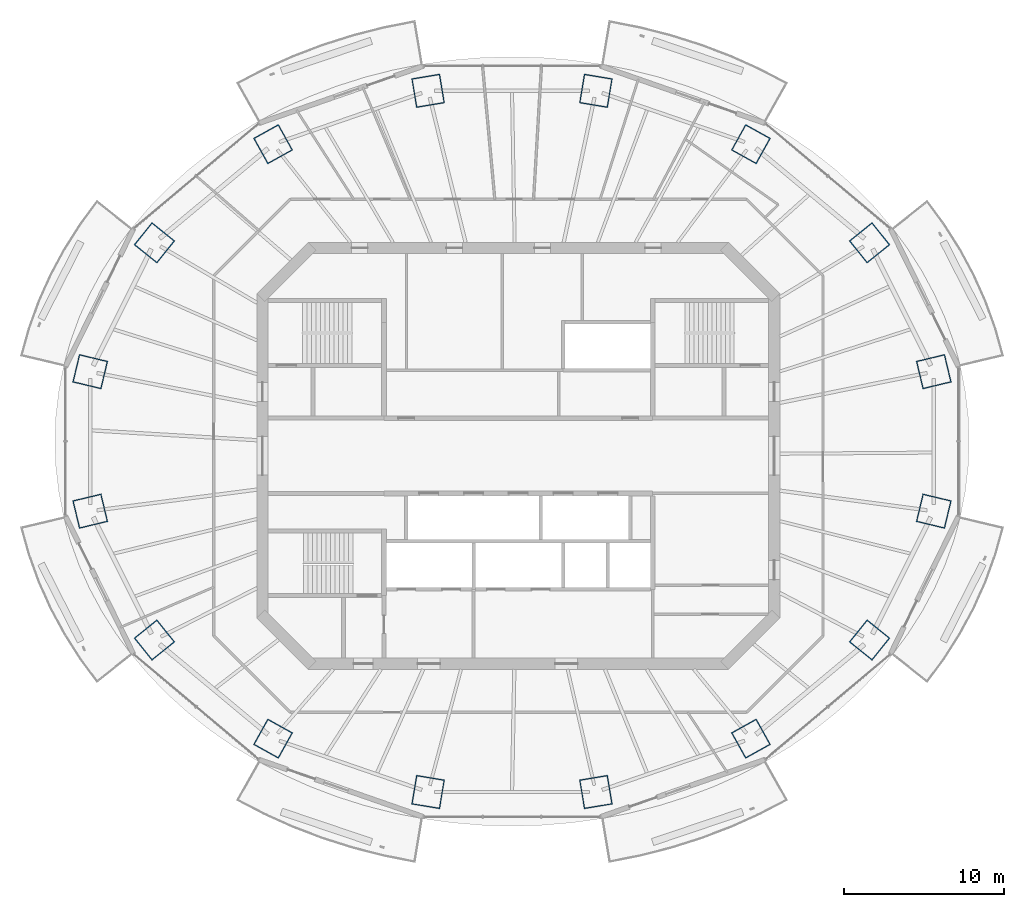
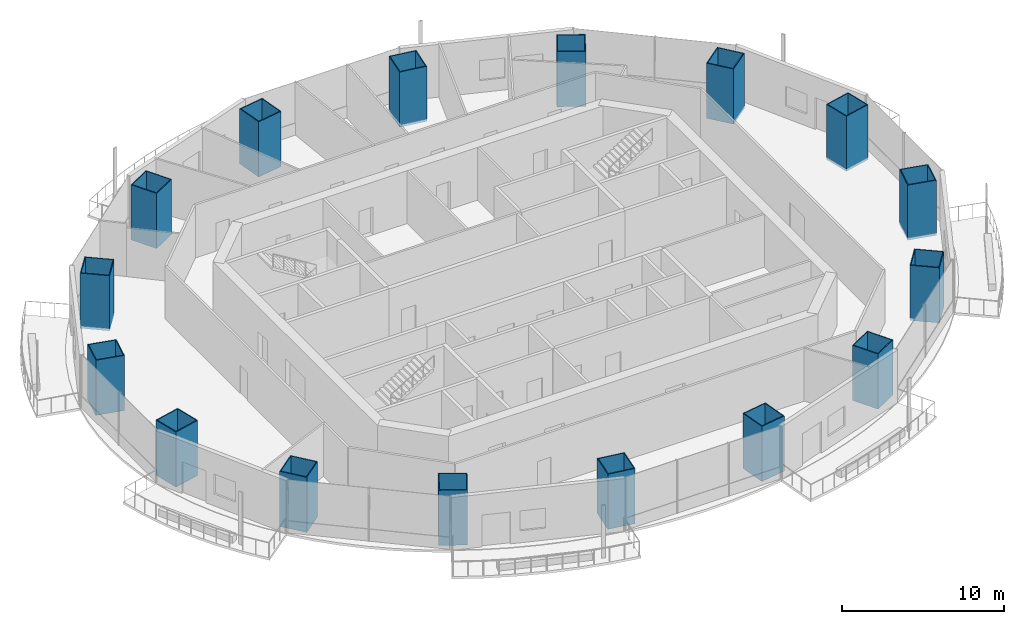
# One storey, part 1 of 16: 16 columns.
"""IFC4 building model written with IfcOpenShell, lengths in metres."""

from ifc_helpers import new_model, si_unit, direction, frame, origin, origin_2d, place, context, subcontext, project, spatial, rectangle, hollow_rectangle, extrude, material, material_profile, profile_set, type_object, element, save


model = new_model("IFC4")

# Units and contexts
model_context = context("Model", 3, precision=1e-05, world=origin(), true_north=direction((0.0, 1.0)))
body_context = subcontext(model_context, "Body", "Model", "MODEL_VIEW")
ifc_project = project(units=[si_unit("LENGTHUNIT", "METRE"), si_unit("AREAUNIT", "SQUARE_METRE"), si_unit("VOLUMEUNIT", "CUBIC_METRE"), si_unit("PLANEANGLEUNIT", "RADIAN"), si_unit("MASSUNIT", "GRAM", prefix="KILO")], contexts=[model_context])

# Site, building, storey
site_placement = place(None, origin())
site = spatial("IfcSite", under=ifc_project, at=site_placement, CompositionType="ELEMENT")
building_placement = place(site_placement, origin())
building = spatial("IfcBuilding", under=site, at=building_placement, Name="Marenthal Gate Tower", CompositionType="ELEMENT")
storey_placement = place(building_placement, frame((0.0, 0.0, 301.10009765625)))
storey = spatial("IfcBuildingStorey", under=building, at=storey_placement, Name="L67", CompositionType="ELEMENT", Elevation=301.10009765625)

# Columns
ifc_material_1 = material(Name="Steel S460", Category="steel")
ifc_material_profile_1 = material_profile(ifc_material_1, hollow_rectangle(XDim=1.800048828125, YDim=1.85009765625, WallThickness=0.06005859375, at=origin_2d()), Name="CFT BOX 1850X1800X60")
ifc_material_2 = material(Name="Concrete 70 MPa", Category="concrete")
ifc_material_profile_2 = material_profile(ifc_material_2, rectangle(XDim=1.679931640625, YDim=1.72998046875, at=origin_2d()), Name="CFT BOX 1850X1800X60 INFILL")
ifc_profile_set = profile_set([ifc_material_profile_1, ifc_material_profile_2], Name="Steel S460 shell, Concrete 70 MPa infill")
column_type = type_object("IfcColumnType", Name="CFT BOX 1850X1800X60", PredefinedType="COLUMN", material=ifc_profile_set)
for number, where, z_axis, x_axis, name in (
    (1, (25.979248046875, 5.26171875, -0.18017578125), (0.0, 0.0, 1.0), (0.232715542746, -0.972544845323, 0.0), "COL-L67-01"),
    (2, (21.963134765625, 13.3212890625, -0.18017578125), (0.0, 0.0, 1.0), (0.626499070203, -0.779422167401, 0.0), "COL-L67-02"),
    (3, (14.54248046875, 19.489990234375, -0.18017578125), (0.0, 0.0, 1.0), (0.874199687872, -0.485566582174, 0.0), "COL-L67-03"),
    (4, (4.84716796875, 22.828369140625, -0.18017578125), (0.0, 0.0, 1.0), (0.986603499759, -0.163136550975, 0.0), "COL-L67-04"),
    (5, (-5.647216796875, 22.828369140625, -0.18017578125), (0.0, 0.0, 1.0), (0.986603499759, 0.163136550975, 0.0), "COL-L67-05"),
    (6, (-15.342529296875, 19.489990234375, -0.18017578125), (0.0, 0.0, 1.0), (0.874199687872, 0.485566582174, 0.0), "COL-L67-06"),
    (7, (-22.76318359375, 13.3212890625, -0.18017578125), (0.0, 0.0, 1.0), (0.626499070203, 0.779422167401, 0.0), "COL-L67-07"),
    (8, (-26.779296875, 5.26171875, -0.18017578125), (0.0, 0.0, 1.0), (0.232715542746, 0.972544845323, 0.0), "COL-L67-08"),
    (9, (-26.779296875, -3.4619140625, -0.18017578125), (0.0, 0.0, 1.0), (-0.232715542746, 0.972544845323, 0.0), "COL-L67-09"),
    (10, (-22.76318359375, -11.521484375, -0.18017578125), (0.0, 0.0, 1.0), (-0.626499070203, 0.779422167401, 0.0), "COL-L67-10"),
    (11, (-15.342529296875, -17.68994140625, -0.18017578125), (0.0, 0.0, 1.0), (-0.874199687872, 0.485566582174, 0.0), "COL-L67-11"),
    (12, (-5.647216796875, -21.0283203125, -0.18017578125), (0.0, 0.0, 1.0), (-0.986603499759, 0.163136550975, 0.0), "COL-L67-12"),
    (13, (4.84716796875, -21.0283203125, -0.18017578125), (0.0, 0.0, 1.0), (-0.986603499759, -0.163136550975, 0.0), "COL-L67-13"),
    (14, (14.54248046875, -17.68994140625, -0.18017578125), (0.0, 0.0, 1.0), (-0.874199687872, -0.485566582174, 0.0), "COL-L67-14"),
    (15, (21.963134765625, -11.521484375, -0.18017578125), (0.0, 0.0, 1.0), (-0.626499070203, -0.779422167401, 0.0), "COL-L67-15"),
    (16, (25.979248046875, -3.4619140625, -0.18017578125), (0.0, 0.0, 1.0), (-0.232715542746, -0.972544845323, 0.0), "COL-L67-16"),
):
    element("IfcColumn", number, at=place(storey_placement, frame(where, z_axis=z_axis, x_axis=x_axis)), inside=storey, type_object=column_type, Name=name, PredefinedType="COLUMN", context=body_context, shape_type="SweptSolid", body=[
        extrude(hollow_rectangle(XDim=1.800048828125, YDim=1.85009765625, WallThickness=0.06005859375, at=origin_2d()), origin(), (0.0, 0.0, 1.0), 4.150146484375),
    ])

save(model, "model.ifc")
